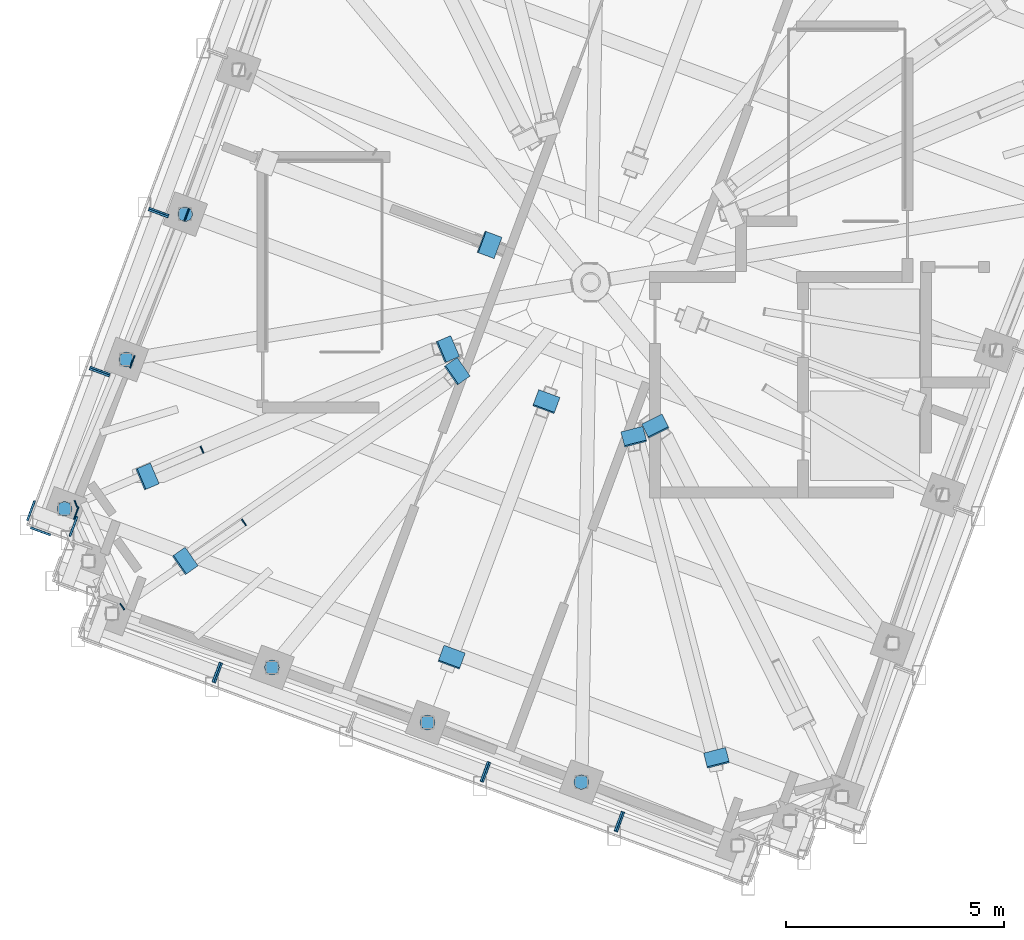
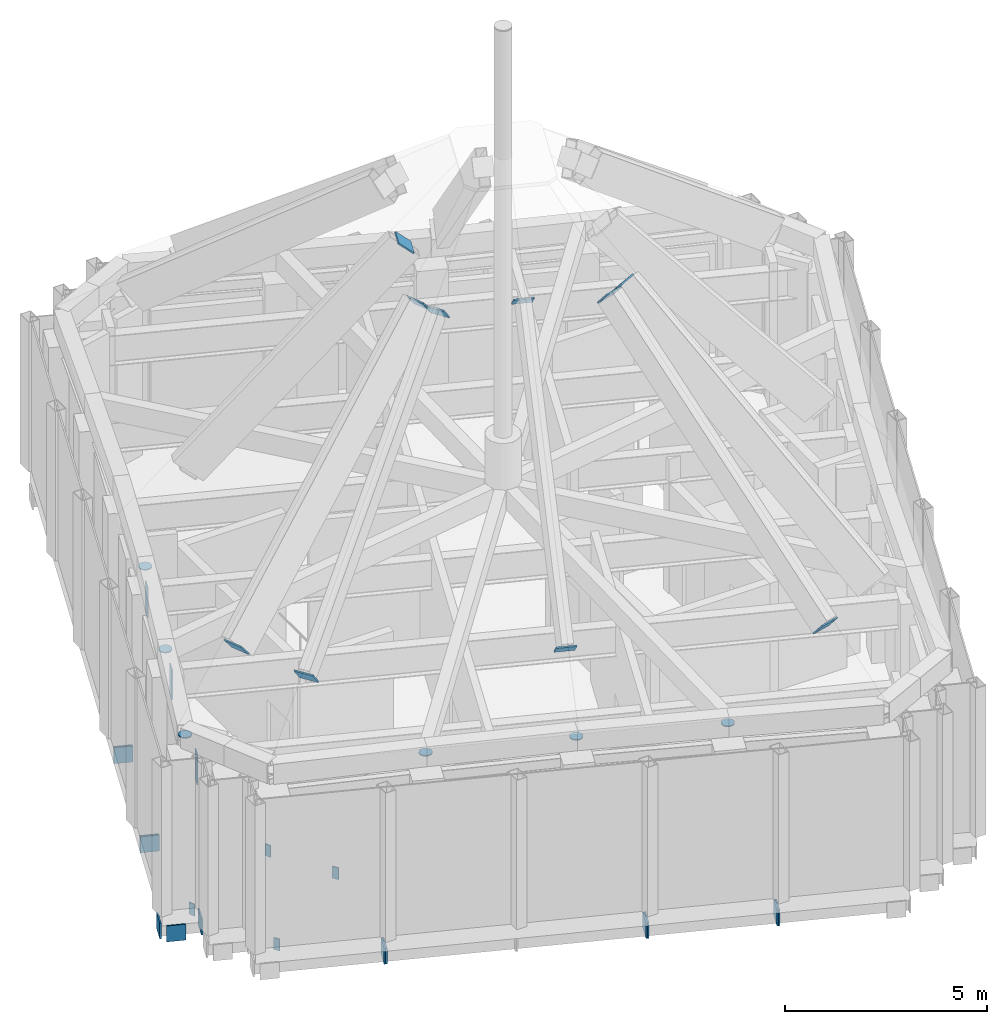
# One storey, part 8 of 14: 36 discrete accessories, 15 elements without a shape of their own.
"""IFC4 building model written with IfcOpenShell, lengths in metres."""

from ifc_helpers import new_model, si_unit, direction, frame, origin, place, context, subcontext, project, spatial, polyline, outline, extrude, material, layer, layer_set, type_object, element, aggregate, save


model = new_model("IFC4")

# Units and contexts
model_context = context("Model", 3, precision=1e-05, world=origin(), true_north=direction((0.0, 1.0)))
body_context = subcontext(model_context, "Body", "Model", "MODEL_VIEW")
ifc_project = project(units=[si_unit("LENGTHUNIT", "METRE"), si_unit("AREAUNIT", "SQUARE_METRE"), si_unit("VOLUMEUNIT", "CUBIC_METRE"), si_unit("PLANEANGLEUNIT", "RADIAN"), si_unit("MASSUNIT", "GRAM", prefix="KILO")], contexts=[model_context])

# Site, building, storey
site_placement = place(None, origin())
site = spatial("IfcSite", under=ifc_project, at=site_placement, CompositionType="ELEMENT")
building_placement = place(site_placement, origin())
building = spatial("IfcBuilding", under=site, at=building_placement, Name="Cantera Rosa Tower", CompositionType="ELEMENT")
storey_placement = place(building_placement, frame((0.0, 0.0, 374.199951171875)))
storey = spatial("IfcBuildingStorey", under=building, at=storey_placement, Name="L84", CompositionType="ELEMENT", Elevation=374.199951171875)

# Discrete accessories
ifc_material_1 = material(Name="Steel S355J2 (EN 10025-2)", Category="steel")
ifc_layer = layer(ifc_material_1, 0.030029296875)
ifc_layer_set = layer_set([ifc_layer], Name="NODE PLATE 30")
discrete_accessory_type = type_object("IfcDiscreteAccessoryType", Name="NODE PLATE 30", PredefinedType="ANCHORPLATE", material=ifc_layer_set)
discrete_accessory_1_placement = place(storey_placement, frame((0.0, 0.0, 3.345947265625)))
element("IfcDiscreteAccessory", 1, at=discrete_accessory_1_placement, inside=storey, type_object=discrete_accessory_type, Name="END PLATE RG-Z6-01B", PredefinedType="ANCHORPLATE", context=body_context, shape_type="SweptSolid", body=[
    extrude(outline(polyline([(-11.8427734375, -5.44580078125), (-11.870849609375, -5.435302734375), (-11.764892578125, -5.1494140625), (-11.736572265625, -5.15966796875), (-11.8427734375, -5.44580078125)])), origin(), (0.0, 0.0, 1.0), 0.904052734375),
])
discrete_accessory_2_placement = place(storey_placement, frame((0.0, 0.0, 3.345947265625)))
element("IfcDiscreteAccessory", 2, at=discrete_accessory_2_placement, inside=storey, type_object=discrete_accessory_type, Name="END PLATE RG-Z6-02B", PredefinedType="ANCHORPLATE", context=body_context, shape_type="SweptSolid", body=[
    extrude(outline(polyline([(-10.554931640625, -1.970703125), (-10.5830078125, -1.960205078125), (-10.47705078125, -1.67431640625), (-10.448974609375, -1.6845703125), (-10.554931640625, -1.970703125)])), origin(), (0.0, 0.0, 1.0), 0.904052734375),
])
discrete_accessory_3_placement = place(storey_placement, frame((0.0, 0.0, 3.345947265625)))
element("IfcDiscreteAccessory", 3, at=discrete_accessory_3_placement, inside=storey, type_object=discrete_accessory_type, Name="END PLATE RG-Z6-03B", PredefinedType="ANCHORPLATE", context=body_context, shape_type="SweptSolid", body=[
    extrude(outline(polyline([(-9.305419921875, 1.4013671875), (-9.33349609375, 1.41162109375), (-9.2275390625, 1.69775390625), (-9.199462890625, 1.687255859375), (-9.305419921875, 1.4013671875)])), origin(), (0.0, 0.0, 1.0), 0.904052734375),
])

# Curtain wall, discrete accessory
ifc_material_2 = material(Name="Aluminium frame with clear glass", Category="aluminium")
curtain_wall_type = type_object("IfcCurtainWallType", Name="CW4 CROWN GLAZING", PredefinedType="NOTDEFINED", material=ifc_material_2)
curtain_wall_1_placement = place(storey_placement, origin())
curtain_wall_1 = element("IfcCurtainWall", 4, at=curtain_wall_1_placement, inside=storey, type_object=curtain_wall_type, Name="CW4 L84-12", PredefinedType="NOTDEFINED")
discrete_accessory_4_placement = place(storey_placement, frame((-9.700927734375, 1.47802734375, -0.43505859375), z_axis=(-0.347330918501, -0.937742626232, 0.0), x_axis=(-0.937742626232, 0.347330918501, 0.0)))
discrete_accessory_4 = element("IfcDiscreteAccessory", 5, at=discrete_accessory_4_placement, type_object=discrete_accessory_type, Name="END PLATE TE1", PredefinedType="ANCHORPLATE", context=body_context, shape_type="SweptSolid", body=[
    extrude(outline(polyline([(0.0, 0.0), (0.4800840869406107, 0.0), (0.4800840869406107, 0.47998046875), (0.0, 0.47998046875), (0.0, 0.0)])), origin(), (0.0, 0.0, -1.0), 0.0400390625),
])
aggregate(curtain_wall_1, [discrete_accessory_4])

# Curtain wall, discrete accessories
curtain_wall_2_placement = place(storey_placement, origin())
curtain_wall_2 = element("IfcCurtainWall", 6, at=curtain_wall_2_placement, inside=storey, type_object=curtain_wall_type, Name="CW4 L84-13", PredefinedType="NOTDEFINED")
discrete_accessory_5_placement = place(storey_placement, frame((-10.123291015625, 1.7197265625, -0.43505859375), z_axis=(0.347330918501, 0.937742626232, 0.0), x_axis=(0.937742626232, -0.347330918501, 0.0)))
discrete_accessory_5 = element("IfcDiscreteAccessory", 7, at=discrete_accessory_5_placement, type_object=discrete_accessory_type, Name="END PLATE TE0", PredefinedType="ANCHORPLATE", context=body_context, shape_type="SweptSolid", body=[
    extrude(outline(polyline([(0.0, 0.0), (0.4800840869406107, 0.0), (0.4800840869406107, 0.47998046875), (0.0, 0.47998046875), (0.0, 0.0)])), origin(), (0.0, 0.0, -1.0), 0.0400390625),
])
discrete_accessory_6_placement = place(storey_placement, frame((-11.052734375, -2.169677734375, -0.43505859375), z_axis=(-0.347496626235, -0.937681233018, 0.0), x_axis=(-0.937681233018, 0.347496626235, 0.0)))
discrete_accessory_6 = element("IfcDiscreteAccessory", 8, at=discrete_accessory_6_placement, type_object=discrete_accessory_type, Name="END PLATE TE1", PredefinedType="ANCHORPLATE", context=body_context, shape_type="SweptSolid", body=[
    extrude(outline(polyline([(0.0, 0.0), (0.4798551533622547, 0.0), (0.4798551533622547, 0.47998046875), (0.0, 0.47998046875), (0.0, 0.0)])), origin(), (0.0, 0.0, -1.0), 0.0400390625),
])
aggregate(curtain_wall_2, [discrete_accessory_5, discrete_accessory_6])

curtain_wall_3_placement = place(storey_placement, origin())
curtain_wall_3 = element("IfcCurtainWall", 9, at=curtain_wall_3_placement, inside=storey, type_object=curtain_wall_type, Name="CW4 L84-14", PredefinedType="NOTDEFINED")
discrete_accessory_7_placement = place(storey_placement, frame((-11.474853515625, -1.927734375, -0.43505859375), z_axis=(0.347496626235, 0.937681233018, 0.0), x_axis=(0.937681233018, -0.347496626235, 0.0)))
discrete_accessory_7 = element("IfcDiscreteAccessory", 10, at=discrete_accessory_7_placement, type_object=discrete_accessory_type, Name="END PLATE TE0", PredefinedType="ANCHORPLATE", context=body_context, shape_type="SweptSolid", body=[
    extrude(outline(polyline([(0.0, 0.0), (0.4798551533622547, 0.0), (0.4798551533622547, 0.47998046875), (0.0, 0.47998046875), (0.0, 0.0)])), origin(), (0.0, 0.0, -1.0), 0.0400390625),
])
discrete_accessory_8_placement = place(storey_placement, frame((-12.404296875, -5.817138671875, -0.43505859375), z_axis=(-0.347330918501, -0.937742626232, 0.0), x_axis=(-0.937742626232, 0.347330918501, 0.0)))
discrete_accessory_8 = element("IfcDiscreteAccessory", 11, at=discrete_accessory_8_placement, type_object=discrete_accessory_type, Name="END PLATE TE1", PredefinedType="ANCHORPLATE", context=body_context, shape_type="SweptSolid", body=[
    extrude(outline(polyline([(0.0, 0.0), (0.4800840869406107, 0.0), (0.4800840869406107, 0.47998046875), (0.0, 0.47998046875), (0.0, 0.0)])), origin(), (0.0, 0.0, -1.0), 0.0400390625),
])
aggregate(curtain_wall_3, [discrete_accessory_7, discrete_accessory_8])

curtain_wall_4_placement = place(storey_placement, origin())
curtain_wall_4 = element("IfcCurtainWall", 12, at=curtain_wall_4_placement, inside=storey, type_object=curtain_wall_type, Name="CW4 L84-15", PredefinedType="NOTDEFINED")
discrete_accessory_9_placement = place(storey_placement, frame((-12.94287109375, -5.457763671875, -0.43505859375), z_axis=(-0.937742626232, 0.347330918501, 0.0), x_axis=(0.347330918501, 0.937742626232, 0.0)))
discrete_accessory_9 = element("IfcDiscreteAccessory", 13, at=discrete_accessory_9_placement, type_object=discrete_accessory_type, Name="END PLATE TE0", PredefinedType="ANCHORPLATE", context=body_context, shape_type="SweptSolid", body=[
    extrude(outline(polyline([(0.0, 0.0), (0.4800840869406107, 0.0), (0.4800840869406107, 0.47998046875), (0.0, 0.47998046875), (0.0, 0.0)])), origin(), (0.0, 0.0, -1.0), 0.0400390625),
])
discrete_accessory_10_placement = place(storey_placement, frame((-11.763427734375, -5.3828125, -0.43505859375), z_axis=(0.937742626232, -0.347330918501, 0.0), x_axis=(-0.347330918501, -0.937742626232, 0.0)))
discrete_accessory_10 = element("IfcDiscreteAccessory", 14, at=discrete_accessory_10_placement, type_object=discrete_accessory_type, Name="END PLATE TE1", PredefinedType="ANCHORPLATE", context=body_context, shape_type="SweptSolid", body=[
    extrude(outline(polyline([(0.0, 0.0), (0.4800840869406107, 0.0), (0.4800840869406107, 0.47998046875), (0.0, 0.47998046875), (0.0, 0.0)])), origin(), (0.0, 0.0, -1.0), 0.0400390625),
])
aggregate(curtain_wall_4, [discrete_accessory_9, discrete_accessory_10])

# Curtain wall, discrete accessory
curtain_wall_5_placement = place(storey_placement, origin())
curtain_wall_5 = element("IfcCurtainWall", 15, at=curtain_wall_5_placement, inside=storey, type_object=curtain_wall_type, Name="CW4 L84-19", PredefinedType="NOTDEFINED")
discrete_accessory_11_placement = place(storey_placement, frame((-8.445068359375, -8.745361328125, -0.43505859375), z_axis=(0.937742626232, -0.347330918501, 0.0), x_axis=(-0.347330918501, -0.937742626232, 0.0)))
discrete_accessory_11 = element("IfcDiscreteAccessory", 16, at=discrete_accessory_11_placement, type_object=discrete_accessory_type, Name="END PLATE TE1", PredefinedType="ANCHORPLATE", context=body_context, shape_type="SweptSolid", body=[
    extrude(outline(polyline([(0.0, 0.0), (0.4800840869406107, 0.0), (0.4800840869406107, 0.47998046875), (0.0, 0.47998046875), (0.0, 0.0)])), origin(), (0.0, 0.0, -1.0), 0.0400390625),
])
aggregate(curtain_wall_5, [discrete_accessory_11])

curtain_wall_6_placement = place(storey_placement, origin())
curtain_wall_6 = element("IfcCurtainWall", 17, at=curtain_wall_6_placement, inside=storey, type_object=curtain_wall_type, Name="CW4 L84-20", PredefinedType="NOTDEFINED")
discrete_accessory_12_placement = place(storey_placement, frame((-8.68701171875, -9.167724609375, -0.43505859375), z_axis=(-0.937576914778, 0.347777987911, 0.0), x_axis=(0.347777987911, 0.937576914778, 0.0)))
discrete_accessory_12 = element("IfcDiscreteAccessory", 18, at=discrete_accessory_12_placement, type_object=discrete_accessory_type, Name="END PLATE TE0", PredefinedType="ANCHORPLATE", context=body_context, shape_type="SweptSolid", body=[
    extrude(outline(polyline([(0.0, 0.0), (0.4801689391068604, 0.0), (0.4801689391068604, 0.47998046875), (0.0, 0.47998046875), (0.0, 0.0)])), origin(), (0.0, 0.0, -1.0), 0.0400390625),
])
aggregate(curtain_wall_6, [discrete_accessory_12])

curtain_wall_7_placement = place(storey_placement, origin())
curtain_wall_7 = element("IfcCurtainWall", 19, at=curtain_wall_7_placement, inside=storey, type_object=curtain_wall_type, Name="CW4 L84-21", PredefinedType="NOTDEFINED")
discrete_accessory_13_placement = place(storey_placement, frame((-2.2939453125, -11.02490234375, -0.43505859375), z_axis=(0.937742626232, -0.347330918501, 0.0), x_axis=(-0.347330918501, -0.937742626232, 0.0)))
discrete_accessory_13 = element("IfcDiscreteAccessory", 20, at=discrete_accessory_13_placement, type_object=discrete_accessory_type, Name="END PLATE TE1", PredefinedType="ANCHORPLATE", context=body_context, shape_type="SweptSolid", body=[
    extrude(outline(polyline([(0.0, 0.0), (0.4800840869406107, 0.0), (0.4800840869406107, 0.47998046875), (0.0, 0.47998046875), (0.0, 0.0)])), origin(), (0.0, 0.0, -1.0), 0.0400390625),
])
aggregate(curtain_wall_7, [discrete_accessory_13])

# Curtain wall, discrete accessories
curtain_wall_8_placement = place(storey_placement, origin())
curtain_wall_8 = element("IfcCurtainWall", 21, at=curtain_wall_8_placement, inside=storey, type_object=curtain_wall_type, Name="CW4 L84-22", PredefinedType="NOTDEFINED")
discrete_accessory_14_placement = place(storey_placement, frame((-2.53564453125, -11.447265625, -0.43505859375), z_axis=(-0.937742626232, 0.347330918501, 0.0), x_axis=(0.347330918501, 0.937742626232, 0.0)))
discrete_accessory_14 = element("IfcDiscreteAccessory", 22, at=discrete_accessory_14_placement, type_object=discrete_accessory_type, Name="END PLATE TE0", PredefinedType="ANCHORPLATE", context=body_context, shape_type="SweptSolid", body=[
    extrude(outline(polyline([(0.0, 0.0), (0.4800840869406107, 0.0), (0.4800840869406107, 0.47998046875), (0.0, 0.47998046875), (0.0, 0.0)])), origin(), (0.0, 0.0, -1.0), 0.0400390625),
])
discrete_accessory_15_placement = place(storey_placement, frame((0.78173828125, -12.16455078125, -0.43505859375), z_axis=(0.937742626232, -0.347330918501, 0.0), x_axis=(-0.347330918501, -0.937742626232, 0.0)))
discrete_accessory_15 = element("IfcDiscreteAccessory", 23, at=discrete_accessory_15_placement, type_object=discrete_accessory_type, Name="END PLATE TE1", PredefinedType="ANCHORPLATE", context=body_context, shape_type="SweptSolid", body=[
    extrude(outline(polyline([(0.0, 0.0), (0.4800840869406107, 0.0), (0.4800840869406107, 0.47998046875), (0.0, 0.47998046875), (0.0, 0.0)])), origin(), (0.0, 0.0, -1.0), 0.0400390625),
])
aggregate(curtain_wall_8, [discrete_accessory_14, discrete_accessory_15])

# Curtain wall, discrete accessory
curtain_wall_9_placement = place(storey_placement, origin())
curtain_wall_9 = element("IfcCurtainWall", 24, at=curtain_wall_9_placement, inside=storey, type_object=curtain_wall_type, Name="CW4 L84-23", PredefinedType="NOTDEFINED")
discrete_accessory_16_placement = place(storey_placement, frame((0.5400390625, -12.5869140625, -0.43505859375), z_axis=(-0.937681233018, 0.347496626235, 0.0), x_axis=(0.347496626235, 0.937681233018, 0.0)))
discrete_accessory_16 = element("IfcDiscreteAccessory", 25, at=discrete_accessory_16_placement, type_object=discrete_accessory_type, Name="END PLATE TE0", PredefinedType="ANCHORPLATE", context=body_context, shape_type="SweptSolid", body=[
    extrude(outline(polyline([(0.0, 0.0), (0.4798551533622547, 0.0), (0.4798551533622547, 0.47998046875), (0.0, 0.47998046875), (0.0, 0.0)])), origin(), (0.0, 0.0, -1.0), 0.0400390625),
])
aggregate(curtain_wall_9, [discrete_accessory_16])

# Curtain wall, discrete accessories
curtain_wall_10_placement = place(storey_placement, origin())
curtain_wall_10 = element("IfcCurtainWall", 26, at=curtain_wall_10_placement, inside=storey, type_object=curtain_wall_type, Name="CW4 L84-01", PredefinedType="NOTDEFINED")
discrete_accessory_17_placement = place(storey_placement, frame((-9.275146484375, -6.69287109375, 6.523193359375), z_axis=(0.637025198921, 0.444495545211, 0.629779807733), x_axis=(-0.572232994643, 0.820091092405, 0.0)))
discrete_accessory_17 = element("IfcDiscreteAccessory", 27, at=discrete_accessory_17_placement, type_object=discrete_accessory_type, Name="END PLATE RE0", PredefinedType="ANCHORPLATE", context=body_context, shape_type="SweptSolid", body=[
    extrude(outline(polyline([(0.0, 0.0), (0.5200808493411186, 0.0), (0.519971858561602, -0.5198535808820163), (-0.00010899077951671856, -0.5198535808820163), (0.0, 0.0)])), origin(), (0.0, 0.0, -1.0), 0.0400390625),
])
discrete_accessory_18_placement = place(storey_placement, frame((-3.33056640625, -1.912841796875, 12.6923828125), z_axis=(0.637196303178, 0.444250198782, 0.629779828272), x_axis=(0.571917153745, -0.820311385544, 0.0)))
discrete_accessory_18 = element("IfcDiscreteAccessory", 28, at=discrete_accessory_18_placement, type_object=discrete_accessory_type, Name="END PLATE RE1", PredefinedType="ANCHORPLATE", context=body_context, shape_type="SweptSolid", body=[
    extrude(outline(polyline([(0.0, 0.0), (0.5199411825697805, 5.551115123125783e-17), (0.5199241016145315, 0.5198535920267224), (-1.70809552489104e-05, 0.5198535920267224), (0.0, 0.0)])), origin(), (0.0, 0.0, -1.0), 0.0400390625),
])
aggregate(curtain_wall_10, [discrete_accessory_17, discrete_accessory_18])

curtain_wall_11_placement = place(storey_placement, origin())
curtain_wall_11 = element("IfcCurtainWall", 29, at=curtain_wall_11_placement, inside=storey, type_object=curtain_wall_type, Name="CW4 L84-02", PredefinedType="NOTDEFINED")
discrete_accessory_19_placement = place(storey_placement, frame((-3.0029296875, -8.851318359375, 6.53564453125), z_axis=(0.24730085436, 0.667378116429, 0.702459064391), x_axis=(-0.937692107677, 0.347467280762, 0.0)))
discrete_accessory_19 = element("IfcDiscreteAccessory", 30, at=discrete_accessory_19_placement, type_object=discrete_accessory_type, Name="END PLATE RE0", PredefinedType="ANCHORPLATE", context=body_context, shape_type="SweptSolid", body=[
    extrude(outline(polyline([(0.0, 0.0), (0.5199455387683067, 0.0), (0.5199203187772252, -0.5200289867034431), (-2.521999108147377e-05, -0.5200289867034431), (0.0, 0.0)])), origin(), (0.0, 0.0, -1.0), 0.0400390625),
])
discrete_accessory_20_placement = place(storey_placement, frame((-1.317138671875, -2.80615234375, 12.707763671875), z_axis=(0.24730085436, 0.667378116429, 0.702459064391), x_axis=(0.937692107677, -0.347467280762, 0.0)))
discrete_accessory_20 = element("IfcDiscreteAccessory", 31, at=discrete_accessory_20_placement, type_object=discrete_accessory_type, Name="END PLATE RE1", PredefinedType="ANCHORPLATE", context=body_context, shape_type="SweptSolid", body=[
    extrude(outline(polyline([(0.0, 0.0), (0.5199455387683067, 0.0), (0.5199707587593881, 0.5200289867034431), (2.521999108147377e-05, 0.5200289867034431), (0.0, 0.0)])), origin(), (0.0, 0.0, -1.0), 0.0400390625),
])
aggregate(curtain_wall_11, [discrete_accessory_19, discrete_accessory_20])

curtain_wall_12_placement = place(storey_placement, origin())
curtain_wall_12 = element("IfcCurtainWall", 32, at=curtain_wall_12_placement, inside=storey, type_object=curtain_wall_type, Name="CW4 L84-03", PredefinedType="NOTDEFINED")
discrete_accessory_21_placement = place(storey_placement, frame((3.177490234375, -10.9912109375, 6.523193359375), z_axis=(-0.193647041275, 0.752160117945, 0.629885688342), x_axis=(-0.968425876015, -0.249301668355, -2.8629497e-05)))
discrete_accessory_21 = element("IfcDiscreteAccessory", 33, at=discrete_accessory_21_placement, type_object=discrete_accessory_type, Name="END PLATE RE0", PredefinedType="ANCHORPLATE", context=body_context, shape_type="SweptSolid", body=[
    extrude(outline(polyline([(0.0, 0.0), (0.5200785566689008, 1.3877787807814457e-17), (0.5199952384520375, -0.5198918789872068), (0.0001531138817733166, -0.5199302115113793), (0.0, 0.0)])), origin(), (0.0, 0.0, -1.0), 0.0400390625),
])
discrete_accessory_22_placement = place(storey_placement, frame((0.776123046875, -3.7509765625, 12.6923828125), z_axis=(-0.193610161907, 0.752199178934, 0.62985037939), x_axis=(0.968434676639, 0.249267480996, 0.0)))
discrete_accessory_22 = element("IfcDiscreteAccessory", 34, at=discrete_accessory_22_placement, type_object=discrete_accessory_type, Name="END PLATE RE1", PredefinedType="ANCHORPLATE", context=body_context, shape_type="SweptSolid", body=[
    extrude(outline(polyline([(0.0, 0.0), (0.5200785572061094, 0.0), (0.5201618764973036, 0.519891879524436), (8.331929119417825e-05, 0.519891879524436), (0.0, 0.0)])), origin(), (0.0, 0.0, -1.0), 0.0400390625),
])
aggregate(curtain_wall_12, [discrete_accessory_21, discrete_accessory_22])

# Curtain wall, discrete accessory
curtain_wall_13_placement = place(storey_placement, origin())
curtain_wall_13 = element("IfcCurtainWall", 35, at=curtain_wall_13_placement, inside=storey, type_object=curtain_wall_type, Name="CW4 L84-04", PredefinedType="NOTDEFINED")
discrete_accessory_23_placement = place(storey_placement, frame((1.319091796875, -3.549072265625, 12.703369140625), z_axis=(-0.342817263482, 0.69161389784, 0.635725208068), x_axis=(0.895952336771, 0.444150208394, -5.1167628e-05)))
discrete_accessory_23 = element("IfcDiscreteAccessory", 36, at=discrete_accessory_23_placement, type_object=discrete_accessory_type, Name="END PLATE RE1", PredefinedType="ANCHORPLATE", context=body_context, shape_type="SweptSolid", body=[
    extrude(outline(polyline([(0.0, 0.0), (0.519932411059526, 2.7755575615628914e-17), (0.5200229794095849, 0.5199281615029451), (-0.0001281700134106496, 0.519997105075183), (0.0, 0.0)])), origin(), (0.0, 0.0, -1.0), 0.0400390625),
])
aggregate(curtain_wall_13, [discrete_accessory_23])

curtain_wall_14_placement = place(storey_placement, origin())
curtain_wall_14 = element("IfcCurtainWall", 37, at=curtain_wall_14_placement, inside=storey, type_object=curtain_wall_type, Name="CW4 L84-11", PredefinedType="NOTDEFINED")
discrete_accessory_24_placement = place(storey_placement, frame((-2.3984375, 1.166015625, 12.72265625), z_axis=(0.620766463266, -0.229971055228, 0.749508046549), x_axis=(-0.347433765157, -0.937704525526, 4.0467062e-05)))
discrete_accessory_24 = element("IfcDiscreteAccessory", 38, at=discrete_accessory_24_placement, type_object=discrete_accessory_type, Name="END PLATE RE1", PredefinedType="ANCHORPLATE", context=body_context, shape_type="SweptSolid", body=[
    extrude(outline(polyline([(0.0, 0.0), (0.5199455380104648, -2.7755575615628914e-17), (0.5200091626855605, 0.5200329369685875), (-0.00016530709383148342, 0.5199693555420195), (0.0, 0.0)])), origin(), (0.0, 0.0, -1.0), 0.0400390625),
])
aggregate(curtain_wall_14, [discrete_accessory_24])

# Curtain wall, discrete accessories
curtain_wall_15_placement = place(storey_placement, origin())
curtain_wall_15 = element("IfcCurtainWall", 39, at=curtain_wall_15_placement, inside=storey, type_object=curtain_wall_type, Name="CW4 L84-12", PredefinedType="NOTDEFINED")
discrete_accessory_25_placement = place(storey_placement, frame((-10.204833984375, -4.752685546875, 6.533935546875), z_axis=(0.710406879892, 0.30104442488, 0.636155892255), x_axis=(-0.390176020892, 0.920740285162, 0.0)))
discrete_accessory_25 = element("IfcDiscreteAccessory", 40, at=discrete_accessory_25_placement, type_object=discrete_accessory_type, Name="END PLATE RE0", PredefinedType="ANCHORPLATE", context=body_context, shape_type="SweptSolid", body=[
    extrude(outline(polyline([(0.0, 0.0), (0.5199726495519197, -2.7755575615628914e-17), (0.5200048606791708, -0.5202018014376186), (3.2211127251227656e-05, -0.5202018014376186), (0.0, 0.0)])), origin(), (0.0, 0.0, -1.0), 0.0400390625),
])
discrete_accessory_26_placement = place(storey_placement, frame((-3.516357421875, -1.353759765625, 12.703369140625), z_axis=(0.710406879892, 0.30104442488, 0.636155892255), x_axis=(0.390176020892, -0.920740285162, 0.0)))
discrete_accessory_26 = element("IfcDiscreteAccessory", 41, at=discrete_accessory_26_placement, type_object=discrete_accessory_type, Name="END PLATE RE1", PredefinedType="ANCHORPLATE", context=body_context, shape_type="SweptSolid", body=[
    extrude(outline(polyline([(0.0, 0.0), (0.5199726495519197, -2.7755575615628914e-17), (0.5199404384246684, 0.5202018014376186), (-3.2211127251227656e-05, 0.5202018014376186), (0.0, 0.0)])), origin(), (0.0, 0.0, -1.0), 0.0400390625),
])
aggregate(curtain_wall_15, [discrete_accessory_25, discrete_accessory_26])

# Discrete accessories
discrete_accessory_27_placement = place(storey_placement, frame((0.0, 0.0, 4.78515625)))
element("IfcDiscreteAccessory", 42, at=discrete_accessory_27_placement, inside=storey, type_object=discrete_accessory_type, Name="NODE PLATE 01", PredefinedType="ANCHORPLATE", context=body_context, shape_type="SweptSolid", body=[
    extrude(outline(polyline([(-10.48486328125, -1.771240234375), (-10.497802734375, -1.706298828125), (-10.53466796875, -1.651123046875), (-10.58984375, -1.6142578125), (-10.65478515625, -1.601318359375), (-10.719970703125, -1.6142578125), (-10.775146484375, -1.651123046875), (-10.811767578125, -1.706298828125), (-10.82470703125, -1.771240234375), (-10.811767578125, -1.83642578125), (-10.775146484375, -1.8916015625), (-10.719970703125, -1.928466796875), (-10.65478515625, -1.94140625), (-10.58984375, -1.928466796875), (-10.53466796875, -1.8916015625), (-10.497802734375, -1.83642578125), (-10.48486328125, -1.771240234375)])), origin(), (0.0, 0.0, 1.0), 0.02978515625),
])
discrete_accessory_28_placement = place(storey_placement, frame((0.0, 0.0, 4.78515625)))
element("IfcDiscreteAccessory", 43, at=discrete_accessory_28_placement, inside=storey, type_object=discrete_accessory_type, Name="NODE PLATE 02", PredefinedType="ANCHORPLATE", context=body_context, shape_type="SweptSolid", body=[
    extrude(outline(polyline([(-11.901123046875, -5.198974609375), (-11.9140625, -5.1337890625), (-11.950927734375, -5.07861328125), (-12.006103515625, -5.041748046875), (-12.071044921875, -5.02880859375), (-12.13623046875, -5.041748046875), (-12.19140625, -5.07861328125), (-12.228271484375, -5.1337890625), (-12.2412109375, -5.198974609375), (-12.228271484375, -5.263916015625), (-12.19140625, -5.319091796875), (-12.13623046875, -5.35595703125), (-12.071044921875, -5.368896484375), (-12.006103515625, -5.35595703125), (-11.950927734375, -5.319091796875), (-11.9140625, -5.263916015625), (-11.901123046875, -5.198974609375)])), origin(), (0.0, 0.0, 1.0), 0.02978515625),
])
discrete_accessory_29_placement = place(storey_placement, frame((0.0, 0.0, 4.78515625)))
element("IfcDiscreteAccessory", 44, at=discrete_accessory_29_placement, inside=storey, type_object=discrete_accessory_type, Name="NODE PLATE 05", PredefinedType="ANCHORPLATE", context=body_context, shape_type="SweptSolid", body=[
    extrude(outline(polyline([(-7.14306640625, -8.837890625), (-7.156005859375, -8.772705078125), (-7.19287109375, -8.717529296875), (-7.248046875, -8.6806640625), (-7.31298828125, -8.667724609375), (-7.378173828125, -8.6806640625), (-7.433349609375, -8.717529296875), (-7.47021484375, -8.772705078125), (-7.483154296875, -8.837890625), (-7.47021484375, -8.90283203125), (-7.433349609375, -8.9580078125), (-7.378173828125, -8.994873046875), (-7.31298828125, -9.0078125), (-7.248046875, -8.994873046875), (-7.19287109375, -8.9580078125), (-7.156005859375, -8.90283203125), (-7.14306640625, -8.837890625)])), origin(), (0.0, 0.0, 1.0), 0.02978515625),
])
discrete_accessory_30_placement = place(storey_placement, frame((0.0, 0.0, 4.78515625)))
element("IfcDiscreteAccessory", 45, at=discrete_accessory_30_placement, inside=storey, type_object=discrete_accessory_type, Name="NODE PLATE 06", PredefinedType="ANCHORPLATE", context=body_context, shape_type="SweptSolid", body=[
    extrude(outline(polyline([(-3.57421875, -10.103515625), (-3.587158203125, -10.03857421875), (-3.6240234375, -9.9833984375), (-3.678955078125, -9.946533203125), (-3.744140625, -9.93359375), (-3.80908203125, -9.946533203125), (-3.8642578125, -9.9833984375), (-3.901123046875, -10.03857421875), (-3.9140625, -10.103515625), (-3.901123046875, -10.168701171875), (-3.8642578125, -10.223876953125), (-3.80908203125, -10.2607421875), (-3.744140625, -10.273681640625), (-3.678955078125, -10.2607421875), (-3.6240234375, -10.223876953125), (-3.587158203125, -10.168701171875), (-3.57421875, -10.103515625)])), origin(), (0.0, 0.0, 1.0), 0.02978515625),
])
discrete_accessory_31_placement = place(storey_placement, frame((0.0, 0.0, 4.78515625)))
element("IfcDiscreteAccessory", 46, at=discrete_accessory_31_placement, inside=storey, type_object=discrete_accessory_type, Name="NODE PLATE 07", PredefinedType="ANCHORPLATE", context=body_context, shape_type="SweptSolid", body=[
    extrude(outline(polyline([(-0.042236328125, -11.46923828125), (-0.05517578125, -11.404052734375), (-0.092041015625, -11.34912109375), (-0.14697265625, -11.312255859375), (-0.212158203125, -11.29931640625), (-0.277099609375, -11.312255859375), (-0.332275390625, -11.34912109375), (-0.369140625, -11.404052734375), (-0.382080078125, -11.46923828125), (-0.369140625, -11.5341796875), (-0.332275390625, -11.58935546875), (-0.277099609375, -11.626220703125), (-0.212158203125, -11.63916015625), (-0.14697265625, -11.626220703125), (-0.092041015625, -11.58935546875), (-0.05517578125, -11.5341796875), (-0.042236328125, -11.46923828125)])), origin(), (0.0, 0.0, 1.0), 0.02978515625),
])
discrete_accessory_32_placement = place(storey_placement, frame((0.0, 0.0, 4.78515625)))
element("IfcDiscreteAccessory", 47, at=discrete_accessory_32_placement, inside=storey, type_object=discrete_accessory_type, Name="NODE PLATE 26", PredefinedType="ANCHORPLATE", context=body_context, shape_type="SweptSolid", body=[
    extrude(outline(polyline([(-9.13330078125, 1.56298828125), (-9.146240234375, 1.628173828125), (-9.18310546875, 1.683349609375), (-9.23828125, 1.72021484375), (-9.303466796875, 1.733154296875), (-9.368408203125, 1.72021484375), (-9.423583984375, 1.683349609375), (-9.46044921875, 1.628173828125), (-9.473388671875, 1.56298828125), (-9.46044921875, 1.498046875), (-9.423583984375, 1.44287109375), (-9.368408203125, 1.406005859375), (-9.303466796875, 1.39306640625), (-9.23828125, 1.406005859375), (-9.18310546875, 1.44287109375), (-9.146240234375, 1.498046875), (-9.13330078125, 1.56298828125)])), origin(), (0.0, 0.0, 1.0), 0.02978515625),
])
discrete_accessory_33_placement = place(storey_placement, frame((0.0, 0.0, -0.805908203125)))
element("IfcDiscreteAccessory", 48, at=discrete_accessory_33_placement, inside=storey, type_object=discrete_accessory_type, Name="END PLATE CG-Z6-04 L84 A", PredefinedType="ANCHORPLATE", context=body_context, shape_type="SweptSolid", body=[
    extrude(outline(polyline([(-11.76171875, -5.15869140625), (-11.789306640625, -5.170654296875), (-11.85693359375, -5.013671875), (-11.829345703125, -5.001708984375), (-11.76171875, -5.15869140625)])), origin(), (0.0, 0.0, 1.0), 0.35595703125),
])
discrete_accessory_34_placement = place(storey_placement, frame((0.0, 0.0, -0.805908203125)))
element("IfcDiscreteAccessory", 49, at=discrete_accessory_34_placement, inside=storey, type_object=discrete_accessory_type, Name="END PLATE CG-Z6-04 L84 B", PredefinedType="ANCHORPLATE", context=body_context, shape_type="SweptSolid", body=[
    extrude(outline(polyline([(-8.96630859375, -3.7685546875), (-8.938720703125, -3.756591796875), (-8.87109375, -3.913818359375), (-8.898681640625, -3.925537109375), (-8.96630859375, -3.7685546875)])), origin(), (0.0, 0.0, 1.0), 0.35595703125),
])
discrete_accessory_35_placement = place(storey_placement, frame((0.0, 0.0, -0.805908203125)))
element("IfcDiscreteAccessory", 50, at=discrete_accessory_35_placement, inside=storey, type_object=discrete_accessory_type, Name="END PLATE CG-Z6-05 L84 A", PredefinedType="ANCHORPLATE", context=body_context, shape_type="SweptSolid", body=[
    extrude(outline(polyline([(-10.686767578125, -7.503662109375), (-10.711669921875, -7.520751953125), (-10.808837890625, -7.380126953125), (-10.7841796875, -7.363037109375), (-10.686767578125, -7.503662109375)])), origin(), (0.0, 0.0, 1.0), 0.35595703125),
])
discrete_accessory_36_placement = place(storey_placement, frame((0.0, 0.0, -0.805908203125)))
element("IfcDiscreteAccessory", 51, at=discrete_accessory_36_placement, inside=storey, type_object=discrete_accessory_type, Name="END PLATE CG-Z6-05 L84 B", PredefinedType="ANCHORPLATE", context=body_context, shape_type="SweptSolid", body=[
    extrude(outline(polyline([(-8.016845703125, -5.447021484375), (-7.9921875, -5.429931640625), (-7.894775390625, -5.570556640625), (-7.91943359375, -5.587646484375), (-8.016845703125, -5.447021484375)])), origin(), (0.0, 0.0, 1.0), 0.35595703125),
])

save(model, "model.ifc")
